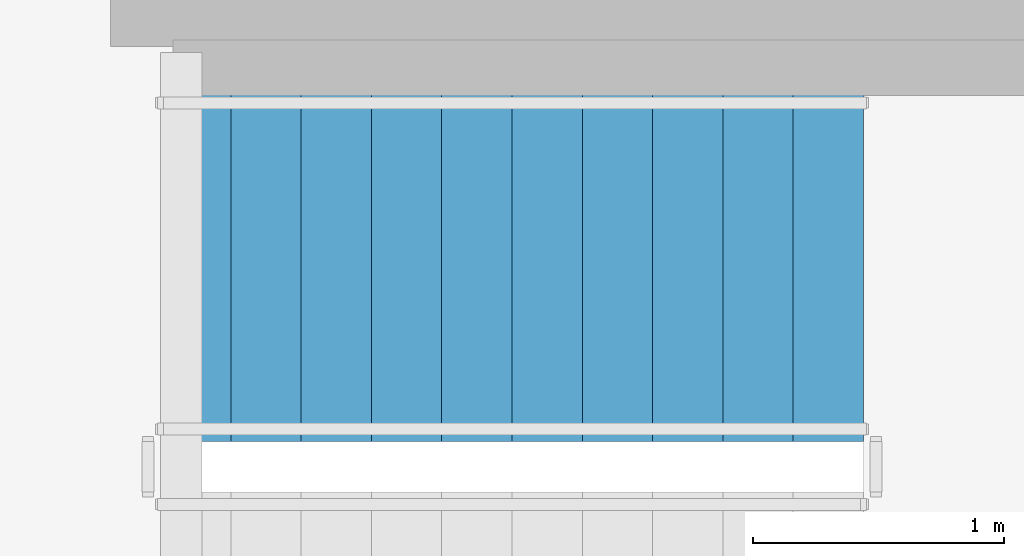
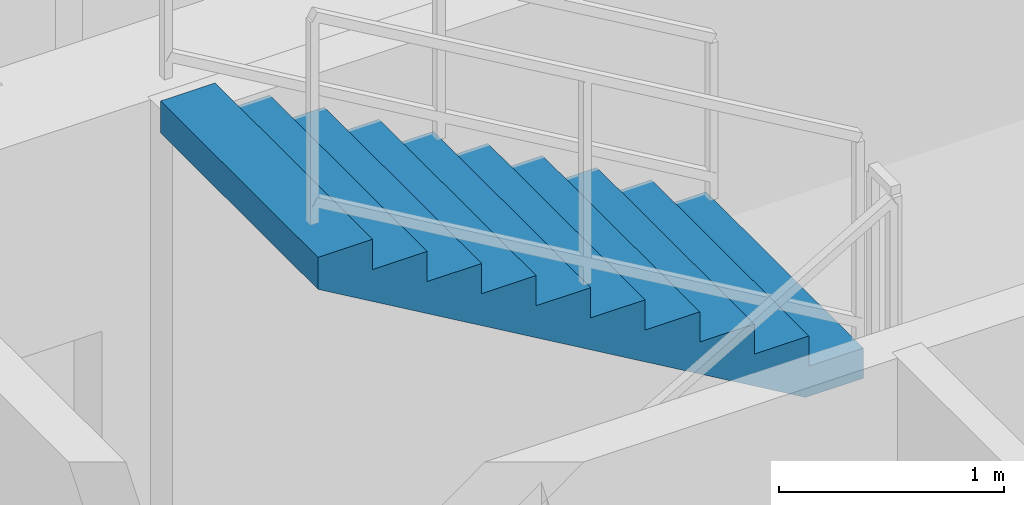
# One storey, part 17 of 19: 1 stair flight, 1 element without a shape of its own.
"""IFC4 building model written with IfcOpenShell, lengths in metres."""

from ifc_helpers import new_model, si_unit, direction, frame, origin, place, context, subcontext, project, spatial, polyline, outline, extrude, material, type_object, element, aggregate, save


model = new_model("IFC4")

# Units and contexts
model_context = context("Model", 3, precision=1e-05, world=origin(), true_north=direction((0.0, 1.0)))
body_context = subcontext(model_context, "Body", "Model", "MODEL_VIEW")
ifc_project = project(units=[si_unit("LENGTHUNIT", "METRE"), si_unit("AREAUNIT", "SQUARE_METRE"), si_unit("VOLUMEUNIT", "CUBIC_METRE"), si_unit("PLANEANGLEUNIT", "RADIAN"), si_unit("MASSUNIT", "GRAM", prefix="KILO")], contexts=[model_context])

# Site, building, storey
site_placement = place(None, origin())
site = spatial("IfcSite", under=ifc_project, at=site_placement, CompositionType="ELEMENT")
building_placement = place(site_placement, origin())
building = spatial("IfcBuilding", under=site, at=building_placement, Name="Qarnah Convention Tower", CompositionType="ELEMENT")
storey_placement = place(building_placement, frame((0.0, 0.0, 180.60009765625)))
storey = spatial("IfcBuildingStorey", under=building, at=storey_placement, Name="L48", CompositionType="ELEMENT", Elevation=180.60009765625)

# Stair, stair flight
ifc_material = material(Name="Concrete C50/60", Category="concrete")
stair_type = type_object("IfcStairType", Name="STR-OFF", PredefinedType="HALF_TURN_STAIR", material=ifc_material)
stair_placement = place(storey_placement, origin())
stair = element("IfcStair", 1, at=stair_placement, inside=storey, type_object=stair_type, Name="L48 Core exit stair ST-3", PredefinedType="HALF_TURN_STAIR")
stair_flight_type = type_object("IfcStairFlightType", Name="FLT-OFF", PredefinedType="STRAIGHT", material=ifc_material)
stair_flight_placement = place(storey_placement, frame((40.300048828125, 33.050048828125, 1.7998046875), z_axis=(0.0, 0.0, 1.0), x_axis=(-1.0, 0.0, 0.0)))
stair_flight = element("IfcStairFlight", 2, at=stair_flight_placement, type_object=stair_flight_type, Name="ST-3 flight 2", NumberOfRisers=11, NumberOfTreads=10, PredefinedType="STRAIGHT", RiserHeight=0.163636364, TreadLength=0.28, context=body_context, shape_type="SweptSolid", body=[
    extrude(outline(polyline([(0.0, 0.0), (0.0, 0.16357421875), (0.280029296875, 0.16357421875), (0.280029296875, 0.327392578125), (0.56005859375, 0.327392578125), (0.56005859375, 0.490966796875), (0.840087890625, 0.490966796875), (0.840087890625, 0.654541015625), (1.1201171875, 0.654541015625), (1.1201171875, 0.818115234375), (1.39990234375, 0.818115234375), (1.39990234375, 0.98193359375), (1.679931640625, 0.98193359375), (1.679931640625, 1.1455078125), (1.9599609375, 1.1455078125), (1.9599609375, 1.30908203125), (2.239990234375, 1.30908203125), (2.239990234375, 1.47265625), (2.52001953125, 1.47265625), (2.52001953125, 1.636474609375), (2.800048828125, 1.636474609375), (2.800048828125, 1.800048828125), (2.800048828125, 1.462646484375), (0.297119140625, 0.0), (0.0, 0.0)])), frame((0.0, 0.699951171875, 0.0), z_axis=(0.0, -1.0, 0.0), x_axis=(1.0, 0.0, 0.0)), (0.0, 0.0, 1.0), 1.39990234375),
])
aggregate(stair, [stair_flight])

save(model, "model.ifc")
